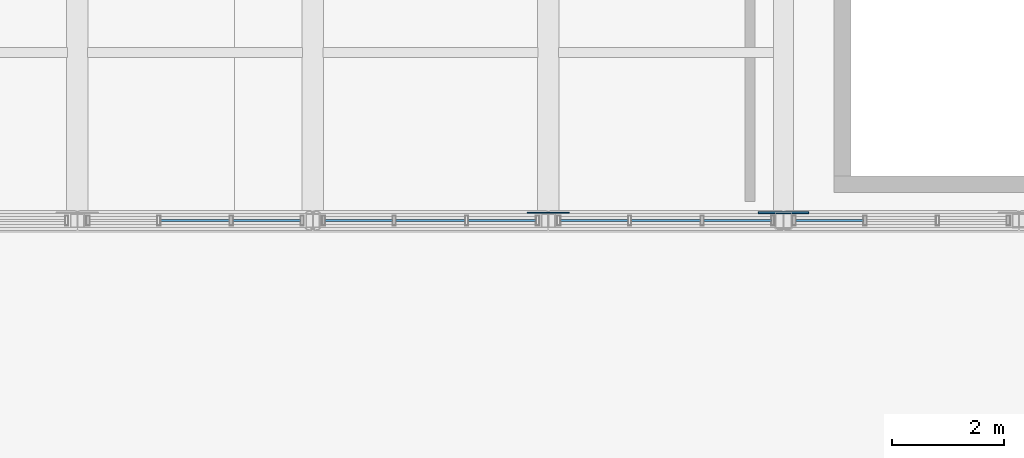
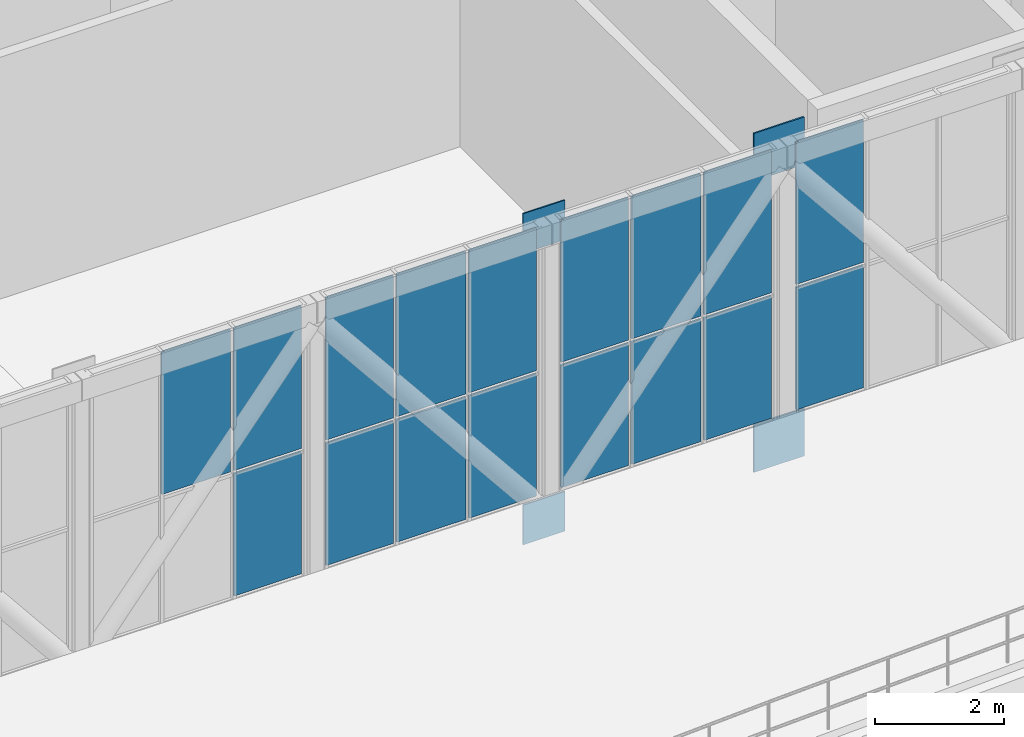
# One storey, part 46 of 58: 21 plates, 4 elements without a shape of their own.
"""IFC4 building model written with IfcOpenShell, lengths in metres."""

from ifc_helpers import new_model, si_unit, direction, frame, origin, origin_2d, place, context, subcontext, project, spatial, rectangle, extrude, material, layer, layer_set, type_object, element, aggregate, save


model = new_model("IFC4")

# Units and contexts
model_context = context("Model", 3, precision=1e-05, world=origin(), true_north=direction((0.0, 1.0)))
body_context = subcontext(model_context, "Body", "Model", "MODEL_VIEW")
ifc_project = project(units=[si_unit("LENGTHUNIT", "METRE"), si_unit("AREAUNIT", "SQUARE_METRE"), si_unit("VOLUMEUNIT", "CUBIC_METRE"), si_unit("PLANEANGLEUNIT", "RADIAN"), si_unit("MASSUNIT", "GRAM", prefix="KILO")], contexts=[model_context])

# Site, building, storey
site_placement = place(None, origin())
site = spatial("IfcSite", under=ifc_project, at=site_placement, CompositionType="ELEMENT")
building_placement = place(site_placement, origin())
building = spatial("IfcBuilding", under=site, at=building_placement, Name="Khurvash Pelagic Aquarium", CompositionType="ELEMENT")
storey_placement = place(building_placement, frame((0.0, 0.0, 24.60009765625)))
storey = spatial("IfcBuildingStorey", under=building, at=storey_placement, Name="L05", CompositionType="ELEMENT", Elevation=24.60009765625)

# Curtain wall, plates
ifc_material_1 = material(Name="Anodised aluminium and low-E laminated glass", Category="aluminium")
curtain_wall_type = type_object("IfcCurtainWallType", Name="CW-01", PredefinedType="USERDEFINED", material=ifc_material_1)
curtain_wall_1_placement = place(storey_placement, origin())
curtain_wall_1 = element("IfcCurtainWall", 1, at=curtain_wall_1_placement, inside=storey, type_object=curtain_wall_type, Name="L05 South Sky-Bar Unitised Curtain Wall CW-01 P09", ObjectType="UNITISED CURTAIN WALL", PredefinedType="USERDEFINED")
ifc_material_2 = material(Name="Low-E laminated double glazing", Category="glass")
ifc_layer_1 = layer(ifc_material_2, 0.035888671875)
ifc_layer_set_1 = layer_set([ifc_layer_1], Name="Low-E laminated double glazing")
plate_type_1 = type_object("IfcPlateType", Name="CG-01", PredefinedType="CURTAIN_PANEL", material=ifc_layer_set_1)
plate_1_placement = place(storey_placement, frame((48.300048828125, 11.64990234375, 2.429931640625), z_axis=(0.0, 0.0, 1.0), x_axis=(1.0, 0.0, 0.0)))
plate_1 = element("IfcPlate", 2, at=plate_1_placement, type_object=plate_type_1, Name="CW-01 panel 2.2", PredefinedType="CURTAIN_PANEL", context=body_context, shape_type="SweptSolid", body=[
    extrude(rectangle(XDim=1.2333984375, YDim=0.035888671875, at=origin_2d()), origin(), (0.0, 0.0, 1.0), 2.68994140625),
])
plate_2_placement = place(storey_placement, frame((49.578369140625, 11.64990234375, 0.059814453125), z_axis=(0.0, 0.0, 1.0), x_axis=(1.0, 0.0, 0.0)))
plate_2 = element("IfcPlate", 3, at=plate_2_placement, type_object=plate_type_1, Name="CW-01 panel 3.1", PredefinedType="CURTAIN_PANEL", context=body_context, shape_type="SweptSolid", body=[
    extrude(rectangle(XDim=1.203369140625, YDim=0.035888671875, at=origin_2d()), origin(), (0.0, 0.0, 1.0), 2.31005859375),
])
plate_3_placement = place(storey_placement, frame((49.578369140625, 11.64990234375, 2.429931640625), z_axis=(0.0, 0.0, 1.0), x_axis=(1.0, 0.0, 0.0)))
plate_3 = element("IfcPlate", 4, at=plate_3_placement, type_object=plate_type_1, Name="CW-01 panel 3.2", PredefinedType="CURTAIN_PANEL", context=body_context, shape_type="SweptSolid", body=[
    extrude(rectangle(XDim=1.203369140625, YDim=0.035888671875, at=origin_2d()), origin(), (0.0, 0.0, 1.0), 2.68994140625),
])
aggregate(curtain_wall_1, [plate_1, plate_2, plate_3])

curtain_wall_2_placement = place(storey_placement, origin())
curtain_wall_2 = element("IfcCurtainWall", 5, at=curtain_wall_2_placement, inside=storey, type_object=curtain_wall_type, Name="L05 South Sky-Bar Unitised Curtain Wall CW-01 P10", ObjectType="UNITISED CURTAIN WALL", PredefinedType="USERDEFINED")
plate_4_placement = place(storey_placement, frame((51.2216796875, 11.64990234375, 0.059814453125), z_axis=(0.0, 0.0, 1.0), x_axis=(1.0, 0.0, 0.0)))
plate_4 = element("IfcPlate", 6, at=plate_4_placement, type_object=plate_type_1, Name="CW-01 panel 1.1", PredefinedType="CURTAIN_PANEL", context=body_context, shape_type="SweptSolid", body=[
    extrude(rectangle(XDim=1.203369140625, YDim=0.035888671875, at=origin_2d()), origin(), (0.0, 0.0, 1.0), 2.31005859375),
])
plate_5_placement = place(storey_placement, frame((51.2216796875, 11.64990234375, 2.429931640625), z_axis=(0.0, 0.0, 1.0), x_axis=(1.0, 0.0, 0.0)))
plate_5 = element("IfcPlate", 7, at=plate_5_placement, type_object=plate_type_1, Name="CW-01 panel 1.2", PredefinedType="CURTAIN_PANEL", context=body_context, shape_type="SweptSolid", body=[
    extrude(rectangle(XDim=1.203369140625, YDim=0.035888671875, at=origin_2d()), origin(), (0.0, 0.0, 1.0), 2.68994140625),
])
plate_6_placement = place(storey_placement, frame((52.5, 11.64990234375, 0.059814453125), z_axis=(0.0, 0.0, 1.0), x_axis=(1.0, 0.0, 0.0)))
plate_6 = element("IfcPlate", 8, at=plate_6_placement, type_object=plate_type_1, Name="CW-01 panel 2.1", PredefinedType="CURTAIN_PANEL", context=body_context, shape_type="SweptSolid", body=[
    extrude(rectangle(XDim=1.2333984375, YDim=0.035888671875, at=origin_2d()), origin(), (0.0, 0.0, 1.0), 2.31005859375),
])
plate_7_placement = place(storey_placement, frame((52.5, 11.64990234375, 2.429931640625), z_axis=(0.0, 0.0, 1.0), x_axis=(1.0, 0.0, 0.0)))
plate_7 = element("IfcPlate", 9, at=plate_7_placement, type_object=plate_type_1, Name="CW-01 panel 2.2", PredefinedType="CURTAIN_PANEL", context=body_context, shape_type="SweptSolid", body=[
    extrude(rectangle(XDim=1.2333984375, YDim=0.035888671875, at=origin_2d()), origin(), (0.0, 0.0, 1.0), 2.68994140625),
])
plate_8_placement = place(storey_placement, frame((53.7783203125, 11.64990234375, 0.059814453125), z_axis=(0.0, 0.0, 1.0), x_axis=(1.0, 0.0, 0.0)))
plate_8 = element("IfcPlate", 10, at=plate_8_placement, type_object=plate_type_1, Name="CW-01 panel 3.1", PredefinedType="CURTAIN_PANEL", context=body_context, shape_type="SweptSolid", body=[
    extrude(rectangle(XDim=1.203369140625, YDim=0.035888671875, at=origin_2d()), origin(), (0.0, 0.0, 1.0), 2.31005859375),
])
plate_9_placement = place(storey_placement, frame((53.7783203125, 11.64990234375, 2.429931640625), z_axis=(0.0, 0.0, 1.0), x_axis=(1.0, 0.0, 0.0)))
plate_9 = element("IfcPlate", 11, at=plate_9_placement, type_object=plate_type_1, Name="CW-01 panel 3.2", PredefinedType="CURTAIN_PANEL", context=body_context, shape_type="SweptSolid", body=[
    extrude(rectangle(XDim=1.203369140625, YDim=0.035888671875, at=origin_2d()), origin(), (0.0, 0.0, 1.0), 2.68994140625),
])
aggregate(curtain_wall_2, [plate_4, plate_5, plate_6, plate_7, plate_8, plate_9])

curtain_wall_3_placement = place(storey_placement, origin())
curtain_wall_3 = element("IfcCurtainWall", 12, at=curtain_wall_3_placement, inside=storey, type_object=curtain_wall_type, Name="L05 South Sky-Bar Unitised Curtain Wall CW-01 P11", ObjectType="UNITISED CURTAIN WALL", PredefinedType="USERDEFINED")
plate_10_placement = place(storey_placement, frame((55.421630859375, 11.64990234375, 0.059814453125), z_axis=(0.0, 0.0, 1.0), x_axis=(1.0, 0.0, 0.0)))
plate_10 = element("IfcPlate", 13, at=plate_10_placement, type_object=plate_type_1, Name="CW-01 panel 1.1", PredefinedType="CURTAIN_PANEL", context=body_context, shape_type="SweptSolid", body=[
    extrude(rectangle(XDim=1.203369140625, YDim=0.035888671875, at=origin_2d()), origin(), (0.0, 0.0, 1.0), 2.31005859375),
])
plate_11_placement = place(storey_placement, frame((55.421630859375, 11.64990234375, 2.429931640625), z_axis=(0.0, 0.0, 1.0), x_axis=(1.0, 0.0, 0.0)))
plate_11 = element("IfcPlate", 14, at=plate_11_placement, type_object=plate_type_1, Name="CW-01 panel 1.2", PredefinedType="CURTAIN_PANEL", context=body_context, shape_type="SweptSolid", body=[
    extrude(rectangle(XDim=1.203369140625, YDim=0.035888671875, at=origin_2d()), origin(), (0.0, 0.0, 1.0), 2.68994140625),
])
plate_12_placement = place(storey_placement, frame((56.699951171875, 11.64990234375, 0.059814453125), z_axis=(0.0, 0.0, 1.0), x_axis=(1.0, 0.0, 0.0)))
plate_12 = element("IfcPlate", 15, at=plate_12_placement, type_object=plate_type_1, Name="CW-01 panel 2.1", PredefinedType="CURTAIN_PANEL", context=body_context, shape_type="SweptSolid", body=[
    extrude(rectangle(XDim=1.2333984375, YDim=0.035888671875, at=origin_2d()), origin(), (0.0, 0.0, 1.0), 2.31005859375),
])
plate_13_placement = place(storey_placement, frame((56.699951171875, 11.64990234375, 2.429931640625), z_axis=(0.0, 0.0, 1.0), x_axis=(1.0, 0.0, 0.0)))
plate_13 = element("IfcPlate", 16, at=plate_13_placement, type_object=plate_type_1, Name="CW-01 panel 2.2", PredefinedType="CURTAIN_PANEL", context=body_context, shape_type="SweptSolid", body=[
    extrude(rectangle(XDim=1.2333984375, YDim=0.035888671875, at=origin_2d()), origin(), (0.0, 0.0, 1.0), 2.68994140625),
])
plate_14_placement = place(storey_placement, frame((57.978271484375, 11.64990234375, 0.059814453125), z_axis=(0.0, 0.0, 1.0), x_axis=(1.0, 0.0, 0.0)))
plate_14 = element("IfcPlate", 17, at=plate_14_placement, type_object=plate_type_1, Name="CW-01 panel 3.1", PredefinedType="CURTAIN_PANEL", context=body_context, shape_type="SweptSolid", body=[
    extrude(rectangle(XDim=1.203369140625, YDim=0.035888671875, at=origin_2d()), origin(), (0.0, 0.0, 1.0), 2.31005859375),
])
plate_15_placement = place(storey_placement, frame((57.978271484375, 11.64990234375, 2.429931640625), z_axis=(0.0, 0.0, 1.0), x_axis=(1.0, 0.0, 0.0)))
plate_15 = element("IfcPlate", 18, at=plate_15_placement, type_object=plate_type_1, Name="CW-01 panel 3.2", PredefinedType="CURTAIN_PANEL", context=body_context, shape_type="SweptSolid", body=[
    extrude(rectangle(XDim=1.203369140625, YDim=0.035888671875, at=origin_2d()), origin(), (0.0, 0.0, 1.0), 2.68994140625),
])
aggregate(curtain_wall_3, [plate_10, plate_11, plate_12, plate_13, plate_14, plate_15])

curtain_wall_4_placement = place(storey_placement, origin())
curtain_wall_4 = element("IfcCurtainWall", 19, at=curtain_wall_4_placement, inside=storey, type_object=curtain_wall_type, Name="L05 South Sky-Bar Unitised Curtain Wall CW-01 P12", ObjectType="UNITISED CURTAIN WALL", PredefinedType="USERDEFINED")
plate_16_placement = place(storey_placement, frame((59.62158203125, 11.64990234375, 0.059814453125), z_axis=(0.0, 0.0, 1.0), x_axis=(1.0, 0.0, 0.0)))
plate_16 = element("IfcPlate", 20, at=plate_16_placement, type_object=plate_type_1, Name="CW-01 panel 1.1", PredefinedType="CURTAIN_PANEL", context=body_context, shape_type="SweptSolid", body=[
    extrude(rectangle(XDim=1.203369140625, YDim=0.035888671875, at=origin_2d()), origin(), (0.0, 0.0, 1.0), 2.31005859375),
])
plate_17_placement = place(storey_placement, frame((59.62158203125, 11.64990234375, 2.429931640625), z_axis=(0.0, 0.0, 1.0), x_axis=(1.0, 0.0, 0.0)))
plate_17 = element("IfcPlate", 21, at=plate_17_placement, type_object=plate_type_1, Name="CW-01 panel 1.2", PredefinedType="CURTAIN_PANEL", context=body_context, shape_type="SweptSolid", body=[
    extrude(rectangle(XDim=1.203369140625, YDim=0.035888671875, at=origin_2d()), origin(), (0.0, 0.0, 1.0), 2.68994140625),
])
aggregate(curtain_wall_4, [plate_16, plate_17])

# Plates
ifc_material_3 = material(Name="Steel S355J2", Category="steel")
ifc_layer_2 = layer(ifc_material_3, 0.028076171875)
ifc_layer_set_2 = layer_set([ifc_layer_2], Name="Steel S355J2")
plate_type_2 = type_object("IfcPlateType", Name="ND-01", PredefinedType="USERDEFINED", material=ifc_layer_set_2)
for number, where, z_axis, x_axis, name in (
    (22, (58.800048828125, 11.7900390625, -0.97509765625), (0.0, 0.0, 1.0), (1.0, 0.0, 0.0), "L05 South Truss Bot Gusset Plate ND-01 N12"),
    (23, (58.800048828125, 11.7900390625, 4.530029296875), (0.0, 0.0, 1.0), (1.0, 0.0, 0.0), "L05 South Truss Top Gusset Plate ND-01 N12"),
):
    element("IfcPlate", number, at=place(storey_placement, frame(where, z_axis=z_axis, x_axis=x_axis)), inside=storey, type_object=plate_type_2, Name=name, ObjectType="GUSSET PLATE", PredefinedType="USERDEFINED", context=body_context, shape_type="SweptSolid", body=[
        extrude(rectangle(XDim=0.89990234375, YDim=0.028076171875, at=origin_2d()), origin(), (0.0, 0.0, 1.0), 0.89990234375),
    ])
ifc_layer_3 = layer(ifc_material_3, 0.02392578125)
ifc_layer_set_3 = layer_set([ifc_layer_3], Name="Steel S355J2")
plate_type_3 = type_object("IfcPlateType", Name="ND-02", PredefinedType="USERDEFINED", material=ifc_layer_set_3)
for number, where, z_axis, x_axis, name in (
    (24, (54.60009765625, 11.7900390625, -0.900146484375), (0.0, 0.0, 1.0), (1.0, 0.0, 0.0), "L05 South Truss Bot Gusset Plate ND-02 N11"),
    (25, (54.60009765625, 11.7900390625, 4.60498046875), (0.0, 0.0, 1.0), (1.0, 0.0, 0.0), "L05 South Truss Top Gusset Plate ND-02 N11"),
):
    element("IfcPlate", number, at=place(storey_placement, frame(where, z_axis=z_axis, x_axis=x_axis)), inside=storey, type_object=plate_type_3, Name=name, ObjectType="GUSSET PLATE", PredefinedType="USERDEFINED", context=body_context, shape_type="SweptSolid", body=[
        extrude(rectangle(XDim=0.75, YDim=0.02392578125, at=origin_2d()), origin(), (0.0, 0.0, 1.0), 0.75),
    ])

save(model, "model.ifc")
